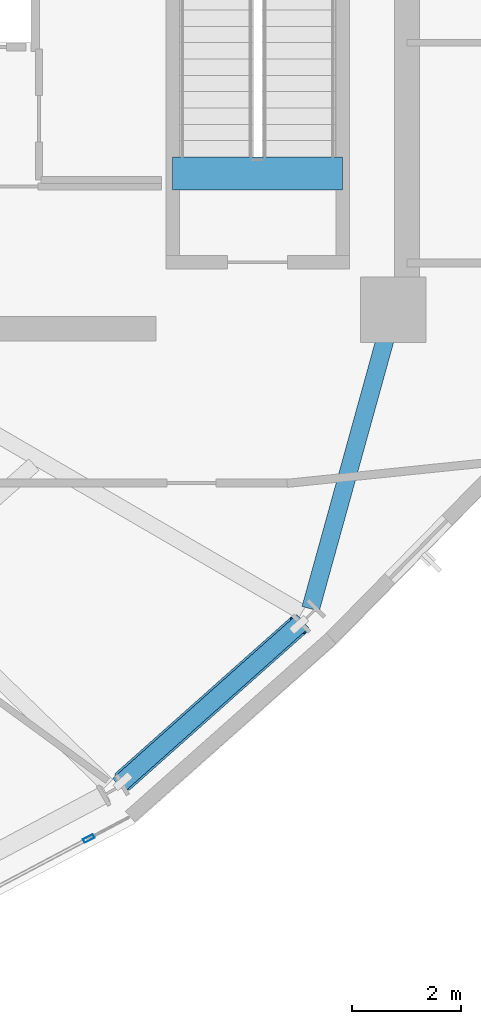
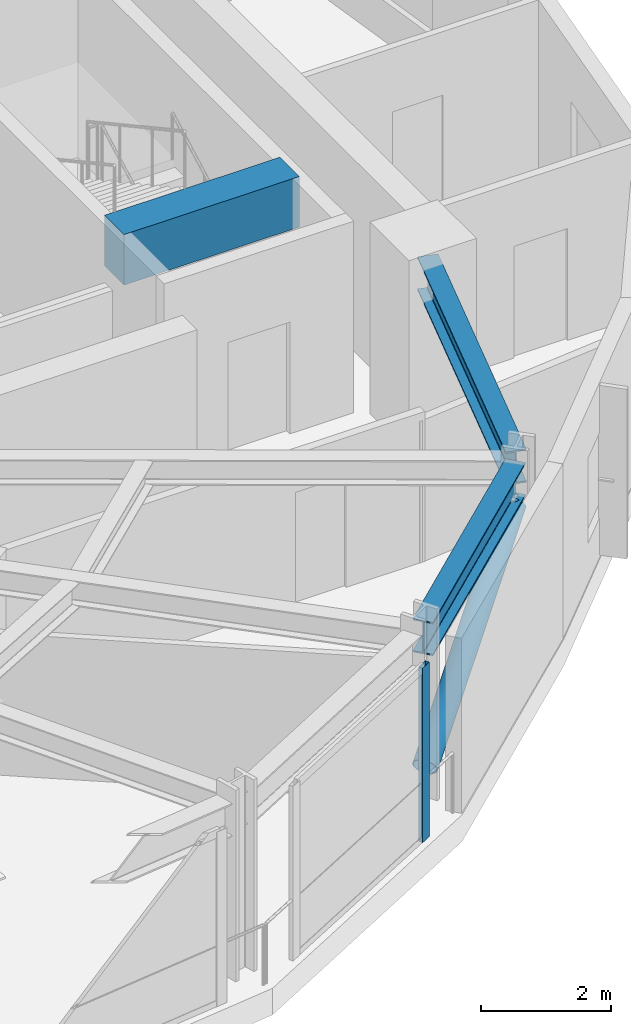
# One storey, part 11 of 25: 3 beams, 2 members, 1 element without a shape of its own.
"""IFC4 building model written with IfcOpenShell, lengths in metres."""

from ifc_helpers import new_model, si_unit, direction, frame, origin, origin_2d, place, context, subcontext, project, spatial, rectangle, hollow_rectangle, hollow_circle, i_section, extrude, material, layer, layer_set, material_profile, profile_set, type_object, element, aggregate, save


model = new_model("IFC4")

# Units and contexts
model_context = context("Model", 3, precision=1e-05, world=origin(), true_north=direction((0.0, 1.0)))
body_context = subcontext(model_context, "Body", "Model", "MODEL_VIEW")
ifc_project = project(units=[si_unit("LENGTHUNIT", "METRE"), si_unit("AREAUNIT", "SQUARE_METRE"), si_unit("VOLUMEUNIT", "CUBIC_METRE"), si_unit("PLANEANGLEUNIT", "RADIAN"), si_unit("MASSUNIT", "GRAM", prefix="KILO")], contexts=[model_context])

# Site, building, storey
site_placement = place(None, origin())
site = spatial("IfcSite", under=ifc_project, at=site_placement, CompositionType="ELEMENT")
building_placement = place(site_placement, origin())
building = spatial("IfcBuilding", under=site, at=building_placement, Name="Solvane Sanctuary Tower", CompositionType="ELEMENT")
storey_placement = place(building_placement, frame((0.0, 0.0, 238.800048828125)))
storey = spatial("IfcBuildingStorey", under=building, at=storey_placement, Name="L73", CompositionType="ELEMENT", Elevation=238.800048828125)

# Beams
ifc_material_1 = material(Name="Concrete C70/85", Category="concrete")
ifc_material_profile_1 = material_profile(ifc_material_1, rectangle(XDim=0.60009765625, YDim=0.949951171875, at=origin_2d()), Name="RC600X950")
ifc_profile_set_1 = profile_set([ifc_material_profile_1], Name="Concrete C70/85")
beam_type_1 = type_object("IfcBeamType", Name="Beam B-COUPLE RC600X950", PredefinedType="LINTEL", material=ifc_profile_set_1)
beam_1_placement = place(storey_placement, frame((44.64990234375, 19.399169921875, 3.125), z_axis=(1.0, 0.0, 0.0), x_axis=(0.0, 1.0, 0.0)))
element("IfcBeam", 1, at=beam_1_placement, inside=storey, type_object=beam_type_1, Name="L73 ST-2 Stair Floor Landing Trimmer", PredefinedType="LINTEL", context=body_context, shape_type="SweptSolid", body=[
    extrude(rectangle(XDim=0.60009765625, YDim=0.949951171875, at=origin_2d()), origin(), (0.0, 0.0, 1.0), 3.1201171875),
])
ifc_material_2 = material(Name="Steel ASTM A992 Grade 50", Category="steel")
ifc_material_profile_2 = material_profile(ifc_material_2, i_section(OverallWidth=0.327880859375, OverallDepth=0.6279296875, WebThickness=0.0166015625, FlangeThickness=0.027587890625, FilletRadius=0.01611328125, at=origin_2d()), Name="W24X146")
ifc_profile_set_2 = profile_set([ifc_material_profile_2], Name="Steel ASTM A992 Grade 50")
beam_type_2 = type_object("IfcBeamType", Name="Beam B-SPAND-Z3 W24X146", PredefinedType="SPANDREL", material=ifc_profile_set_2)
beam_2_placement = place(storey_placement, frame((43.65966796875, 8.17919921875, 3.00390625), z_axis=(0.747206834793, 0.664591563322, 0.0), x_axis=(-0.664591563322, 0.747206834793, 0.0)))
element("IfcBeam", 2, at=beam_2_placement, inside=storey, type_object=beam_type_2, Name="L73 Perimeter Spandrel Beam TC13-TC14", PredefinedType="SPANDREL", context=body_context, shape_type="SweptSolid", body=[
    extrude(i_section(OverallWidth=0.327880859375, OverallDepth=0.6279296875, WebThickness=0.0166015625, FlangeThickness=0.027587890625, FilletRadius=0.01611328125, at=origin_2d()), origin(), (0.0, 0.0, 1.0), 4.5244140625),
])
beam_3_placement = place(storey_placement, frame((47.18212890625, 11.4140625, 3.00390625), z_axis=(0.266650248701, 0.963793362121, 0.0), x_axis=(-0.963793362121, 0.266650248701, 0.0)))
element("IfcBeam", 3, at=beam_3_placement, inside=storey, type_object=beam_type_2, Name="L73 Perimeter Spandrel Beam TC14-CE2", PredefinedType="SPANDREL", context=body_context, shape_type="SweptSolid", body=[
    extrude(i_section(OverallWidth=0.327880859375, OverallDepth=0.6279296875, WebThickness=0.0166015625, FlangeThickness=0.027587890625, FilletRadius=0.01611328125, at=origin_2d()), origin(), (0.0, 0.0, 1.0), 5.412109375),
])

# Curtain wall, member
ifc_material_3 = material(Name="Anodised Aluminium 6063-T6", Category="aluminium")
ifc_layer = layer(ifc_material_3, 0.18994140625, Name="Anodised Aluminium 6063-T6")
ifc_layer_set = layer_set([ifc_layer], Name="Anodised Aluminium 6063-T6")
curtain_wall_type = type_object("IfcCurtainWallType", Name="Curtain Wall CW-OPER", PredefinedType="NOTDEFINED", material=ifc_layer_set)
curtain_wall_placement = place(storey_placement, origin())
curtain_wall = element("IfcCurtainWall", 4, at=curtain_wall_placement, inside=storey, type_object=curtain_wall_type, Name="L73 CW-OPER Facade Run 19", PredefinedType="NOTDEFINED")
ifc_material_profile_3 = material_profile(ifc_material_3, hollow_rectangle(XDim=0.074951171875, YDim=0.199951171875, WallThickness=0.00390625, at=origin_2d()), Name="ALU200X75X4")
ifc_profile_set_3 = profile_set([ifc_material_profile_3], Name="Anodised Aluminium 6063-T6")
member_type_1 = type_object("IfcMemberType", Name="Member M-CW-MUL-1 ALU200X75X4", PredefinedType="MULLION", material=ifc_profile_set_3)
member_1_placement = place(storey_placement, frame((43.112060546875, 7.199951171875, 0.0), z_axis=(0.0, 0.0, 1.0), x_axis=(-0.467523293544, 0.883980752049, 0.0)))
member_1 = element("IfcMember", 5, at=member_1_placement, type_object=member_type_1, Name="CW-OPER mullion 2", PredefinedType="MULLION", context=body_context, shape_type="SweptSolid", body=[
    extrude(hollow_rectangle(XDim=0.074951171875, YDim=0.199951171875, WallThickness=0.00390625, at=origin_2d()), origin(), (0.0, 0.0, 1.0), 3.280029296875),
])
aggregate(curtain_wall, [member_1])

# Member
ifc_material_profile_4 = material_profile(ifc_material_2, hollow_circle(Radius=0.202880859375, WallThickness=0.012451171875, at=origin_2d()), Name="CHS406X12.5")
ifc_profile_set_4 = profile_set([ifc_material_profile_4], Name="Steel ASTM A992 Grade 50")
member_type_2 = type_object("IfcMemberType", Name="Member M-TUBE-Z3 CHS406X12.5", PredefinedType="BRACE", material=ifc_profile_set_4)
member_2_placement = place(storey_placement, frame((43.7392578125, 8.25, 0.49853515625), z_axis=(0.673397052397, 0.598966005648, 0.433331436549), x_axis=(-0.664606066876, 0.747193934579, 0.0)))
element("IfcMember", 6, at=member_2_placement, inside=storey, type_object=member_type_2, Name="L73 Perimeter Braced-Tube Diagonal SE", PredefinedType="BRACE", context=body_context, shape_type="SweptSolid", body=[
    extrude(hollow_circle(Radius=0.202880859375, WallThickness=0.012451171875, at=origin_2d()), origin(), (0.0, 0.0, 1.0), 4.788818359375),
])

save(model, "model.ifc")
